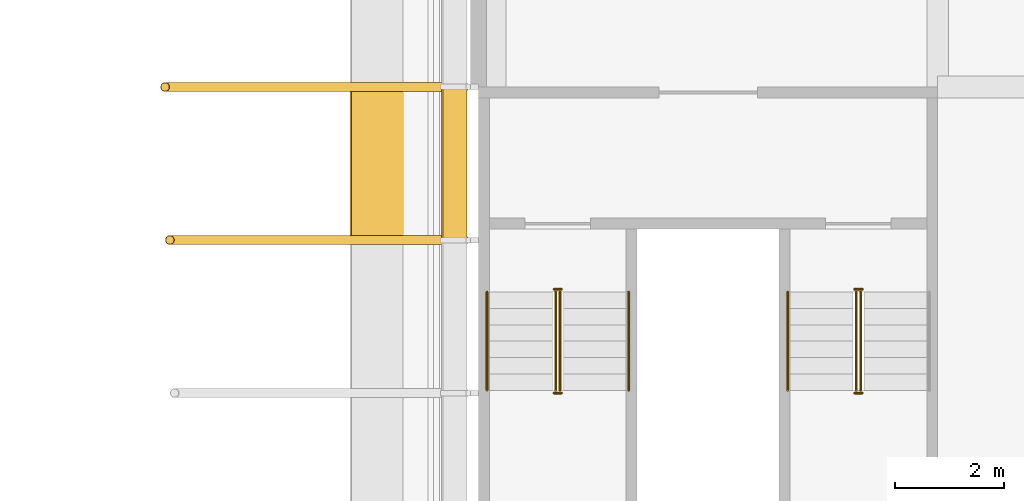
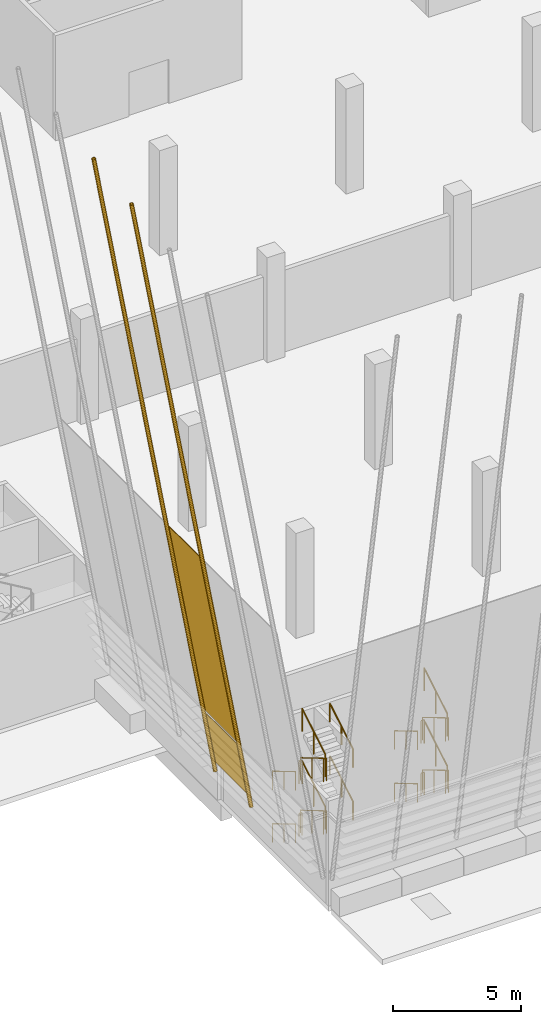
# One storey, part 77 of 101: 22 railings, 2 coverings, 2 shading devices.
"""IFC4 building model written with IfcOpenShell, lengths in metres."""

import ifcopenshell
import ifcopenshell.guid

model = None  # the IFC model being written
_history = None  # IfcOwnerHistory: only IFC2X3 demands one
_inside = {}  # id of a spatial element -> (the spatial element, [elements in it])
_under = {}  # id of a project, library or spatial element -> (it, [spatial elements below it])
_declared = {}  # id of a project -> (the project, [libraries it declares])
_typed = {}  # id of a type object -> (the type object, [elements of that type])
_made_of = {}  # id of a material, layer set ... -> (it, [elements and type objects made of it])


def new_model(schema):
    """Start an empty IFC model of exactly this schema.

    Asked for "IFC4X3", IfcOpenShell would pick the latest addendum, in which some entities
    have other attributes; the version numbers below select the first issue.
    IFC2X3 requires an IfcOwnerHistory on every rooted entity: one is made here for all.
    """
    global model, _history
    if schema == "IFC4X3":
        model = ifcopenshell.file(schema_version=(4, 3, 0, 0))
    else:
        model = ifcopenshell.file(schema=schema)
    _inside.clear()
    _under.clear()
    _declared.clear()
    _typed.clear()
    _made_of.clear()
    _history = None
    if model.schema == "IFC2X3":
        org = make("IfcOrganization", Name="unknown")
        user = make(
            "IfcPersonAndOrganization",
            ThePerson=make("IfcPerson", FamilyName="unknown"),
            TheOrganization=org,
        )
        app = make(
            "IfcApplication",
            ApplicationDeveloper=org,
            Version="unknown",
            ApplicationFullName="unknown",
            ApplicationIdentifier="unknown",
        )
        _history = make(
            "IfcOwnerHistory",
            OwningUser=user,
            OwningApplication=app,
            ChangeAction="ADDED",
            CreationDate=0,
        )
    return model


def make(cls, **values):
    """One entity of the class cls with the attributes given. An attribute that is None is left unset."""
    return model.create_entity(
        cls, **{name: value for name, value in values.items() if value is not None}
    )


def rooted(cls, **values):
    """An entity with a GlobalId (a new one), such as an element, a storey or a relation."""
    return make(cls, GlobalId=ifcopenshell.guid.new(), OwnerHistory=_history, **values)


def si_unit(unit_type, name, prefix=None):
    """IfcSIUnit, for example si_unit("LENGTHUNIT", "METRE", prefix="MILLI")."""
    return make("IfcSIUnit", UnitType=unit_type, Prefix=prefix, Name=name)


def assignment(units):
    """IfcUnitAssignment: the units of a project."""
    return None if units is None else make("IfcUnitAssignment", Units=units)


def point(xyz):
    """IfcCartesianPoint."""
    return None if xyz is None else make("IfcCartesianPoint", Coordinates=xyz)


def direction(xyz):
    """IfcDirection."""
    return None if xyz is None else make("IfcDirection", DirectionRatios=xyz)


def frame(location, z_axis=None, x_axis=None):
    """IfcAxis2Placement3D, a coordinate frame: its origin and axes. An axis left out is left unset."""
    return make(
        "IfcAxis2Placement3D",
        Location=point(location),
        Axis=direction(z_axis),
        RefDirection=direction(x_axis),
    )


def frame_2d(location, x_axis=None):
    """IfcAxis2Placement2D, a coordinate frame in the plane: its origin and x axis."""
    return make(
        "IfcAxis2Placement2D", Location=point(location), RefDirection=direction(x_axis)
    )


def origin():
    """The frame at (0, 0, 0) with its axes left unset."""
    return frame((0.0, 0.0, 0.0))


def origin_2d():
    """The frame at (0, 0) in the plane with its x axis left unset."""
    return frame_2d((0.0, 0.0))


def place(relative_to, where):
    """IfcLocalPlacement: puts the frame where relative to a parent placement (None: the world)."""
    return make(
        "IfcLocalPlacement", PlacementRelTo=relative_to, RelativePlacement=where
    )


def context(
    kind, dimensions, precision=None, world=None, true_north=None, identifier=None
):
    """IfcGeometricRepresentationContext, for example the 3D "Model" context."""
    return make(
        "IfcGeometricRepresentationContext",
        ContextIdentifier=identifier,
        ContextType=kind,
        CoordinateSpaceDimension=dimensions,
        Precision=precision,
        WorldCoordinateSystem=world,
        TrueNorth=true_north,
    )


def subcontext(parent, identifier, kind, view, scale=None):
    """IfcGeometricRepresentationSubContext, for example "Body" below "Model"."""
    return make(
        "IfcGeometricRepresentationSubContext",
        ContextIdentifier=identifier,
        ContextType=kind,
        ParentContext=parent,
        TargetScale=scale,
        TargetView=view,
    )


def project(units=None, contexts=None):
    """IfcProject with its units and contexts."""
    return rooted(
        "IfcProject",
        Name="project",
        RepresentationContexts=contexts,
        UnitsInContext=assignment(units),
    )


def spatial(cls, under=None, at=None, **own):
    """A site, building, storey or space (cls), placed at a placement, below another one or the project."""
    s = rooted(cls, ObjectPlacement=at, **own)
    if under is not None:
        _under.setdefault(under.id(), (under, []))[1].append(s)
    return s


def polyline(points):
    """IfcPolyline through the points."""
    return make("IfcPolyline", Points=[point(p) for p in points])


def profile(cls, at=None, kind="AREA", **sizes):
    """A parametric profile (cls). Its sizes go by their IFC names, for example OverallWidth=200.0."""
    return make(cls, ProfileType=kind, Position=at, **sizes)


def circle(**sizes):
    """IfcCircleProfileDef."""
    return profile("IfcCircleProfileDef", **sizes)


def hollow_circle(**sizes):
    """IfcCircleHollowProfileDef."""
    return profile("IfcCircleHollowProfileDef", **sizes)


def outline(outer, holes=None, kind="AREA"):
    """IfcArbitraryClosedProfileDef: a profile drawn as a closed curve; with holes, ...WithVoids."""
    if holes is None:
        return make("IfcArbitraryClosedProfileDef", ProfileType=kind, OuterCurve=outer)
    return make(
        "IfcArbitraryProfileDefWithVoids",
        ProfileType=kind,
        OuterCurve=outer,
        InnerCurves=holes,
    )


def extrude(swept, where, along, depth):
    """IfcExtrudedAreaSolid: the profile swept, set in the frame where, extruded along a direction by depth."""
    return make(
        "IfcExtrudedAreaSolid",
        SweptArea=swept,
        Position=where,
        ExtrudedDirection=direction(along),
        Depth=depth,
    )


def shape(context_of_items, identifier, shape_type, items):
    """IfcShapeRepresentation: the items that make up one representation, for example the "Body"."""
    return make(
        "IfcShapeRepresentation",
        ContextOfItems=context_of_items,
        RepresentationIdentifier=identifier,
        RepresentationType=shape_type,
        Items=items,
    )


def material(Name=None, Category=None):
    """IfcMaterial."""
    return make("IfcMaterial", Name=Name, Category=Category)


def layer(
    of_material, thickness, ventilated=None, Name=None, Category=None, Priority=None
):
    """IfcMaterialLayer: one layer of a wall or slab, of a material (None: an air gap)."""
    return make(
        "IfcMaterialLayer",
        Material=of_material,
        LayerThickness=thickness,
        IsVentilated=ventilated,
        Name=Name,
        Category=Category,
        Priority=Priority,
    )


def layer_set(layers, Name=None):
    """IfcMaterialLayerSet."""
    return make("IfcMaterialLayerSet", MaterialLayers=layers, LayerSetName=Name)


def material_profile(
    of_material, cross_section, Name=None, Category=None, Priority=None
):
    """IfcMaterialProfile: a cross section and its material."""
    return make(
        "IfcMaterialProfile",
        Name=Name,
        Material=of_material,
        Profile=cross_section,
        Priority=Priority,
        Category=Category,
    )


def profile_set(profiles, Name=None, composite=None):
    """IfcMaterialProfileSet."""
    return make(
        "IfcMaterialProfileSet",
        Name=Name,
        MaterialProfiles=profiles,
        CompositeProfile=composite,
    )


def made_of(thing, what):
    """Note that an element or type object is made of a material, layer set ...; save() writes the relation."""
    if what is not None:
        _made_of.setdefault(what.id(), (what, []))[1].append(thing)
    return thing


def type_object(cls, material=None, **own):
    """A type object (cls), such as IfcWallType, which elements share."""
    return made_of(rooted(cls, **own), material)


def element(
    cls,
    number,
    at=None,
    inside=None,
    cuts=None,
    type_object=None,
    material=None,
    context=None,
    identifier="Body",
    shape_type=None,
    held_by="IfcProductDefinitionShape",
    body=None,
    shapes=None,
    **own,
):
    """One element of the class cls, such as IfcWall. Its Tag is "e" and its number.

    at: its placement. inside: the storey or other place that contains it. cuts: it is an
    opening in that element (IfcRelVoidsElement). A single representation is given by context,
    identifier, shape_type and body (its items); several are given by shapes. held_by: the class
    of the entity that holds the representations. save() writes the other relations.
    """
    e = rooted(cls, Tag="e%d" % number, ObjectPlacement=at, **own)
    if body is not None:
        shapes = [shape(context, identifier, shape_type, body)]
    if shapes is not None:
        e.Representation = make(held_by, Representations=shapes)
    if inside is not None:
        _inside.setdefault(inside.id(), (inside, []))[1].append(e)
    if cuts is not None:
        rooted(
            "IfcRelVoidsElement", RelatingBuildingElement=cuts, RelatedOpeningElement=e
        )
    if type_object is not None:
        _typed.setdefault(type_object.id(), (type_object, []))[1].append(e)
    return made_of(e, material)


def aggregate(whole, parts):
    """IfcRelAggregates: a whole, such as a stair, and the parts it consists of."""
    return rooted("IfcRelAggregates", RelatingObject=whole, RelatedObjects=parts)


def save(model, path):
    """Write the relations noted so far, then the file.

    IfcRelAggregates (storeys below a building ...), IfcRelContainedInSpatialStructure (elements
    in a storey), IfcRelDefinesByType, IfcRelAssociatesMaterial and IfcRelDeclares: one each for
    every whole, place, type object, material and project.
    """
    for whole, parts in _under.values():
        aggregate(whole, parts)
    for where, things in _inside.values():
        rooted(
            "IfcRelContainedInSpatialStructure",
            RelatedElements=things,
            RelatingStructure=where,
        )
    for kind, things in _typed.values():
        rooted("IfcRelDefinesByType", RelatedObjects=things, RelatingType=kind)
    for what, things in _made_of.values():
        rooted("IfcRelAssociatesMaterial", RelatedObjects=things, RelatingMaterial=what)
    for by, libraries in _declared.values():
        rooted("IfcRelDeclares", RelatingContext=by, RelatedDefinitions=libraries)
    model.write(path)


model = new_model("IFC4")

# Units and contexts
model_context = context("Model", 3, precision=1e-05, world=origin(), true_north=direction((0.0, 1.0)))
body_context = subcontext(model_context, "Body", "Model", "MODEL_VIEW")
ifc_project = project(units=[si_unit("LENGTHUNIT", "METRE"), si_unit("AREAUNIT", "SQUARE_METRE"), si_unit("VOLUMEUNIT", "CUBIC_METRE"), si_unit("PLANEANGLEUNIT", "RADIAN"), si_unit("MASSUNIT", "GRAM", prefix="KILO")], contexts=[model_context])

# Site, building, storey
site_placement = place(None, origin())
site = spatial("IfcSite", under=ifc_project, at=site_placement, CompositionType="ELEMENT")
building_placement = place(site_placement, origin())
building = spatial("IfcBuilding", under=site, at=building_placement, Name="Almond Square Museum", CompositionType="ELEMENT")
storey_placement = place(building_placement, frame((0.0, 0.0, 5.5)))
storey = spatial("IfcBuildingStorey", under=building, at=storey_placement, Name="L01", CompositionType="ELEMENT", Elevation=5.5)

# Shading devices
ifc_material_1 = material(Name="Structural steel S355", Category="steel")
ifc_material_profile = material_profile(ifc_material_1, hollow_circle(Radius=0.084228515625, WallThickness=0.008056640625, at=origin_2d()))
ifc_profile_set = profile_set([ifc_material_profile], Name="Structural steel S355")
shading_device_type = type_object("IfcShadingDeviceType", Name="Louvre post CHS 168.3 x 8", PredefinedType="USERDEFINED", material=ifc_profile_set)
shading_device_1_placement = place(storey_placement, frame((106.54443359375, 56.0, 1.44873046875), z_axis=(-0.173642705905, 0.0, 0.984808717816), x_axis=(0.0, -1.0, 0.0)))
element("IfcShadingDevice", 1, at=shading_device_1_placement, inside=storey, type_object=shading_device_type, Name="Louvre post W03", ObjectType="POST", PredefinedType="USERDEFINED", context=body_context, shape_type="SweptSolid", body=[
    extrude(hollow_circle(Radius=0.084228515625, WallThickness=0.008056640625, at=origin_2d()), origin(), (0.0, 0.0, 1.0), 31.052734375),
])
shading_device_2_placement = place(storey_placement, frame((106.54443359375, 58.800048828125, 1.44873046875), z_axis=(-0.173643630855, 0.0, 0.984808554727), x_axis=(0.0, -1.0, 0.0)))
element("IfcShadingDevice", 2, at=shading_device_2_placement, inside=storey, type_object=shading_device_type, Name="Louvre post W04", ObjectType="POST", PredefinedType="USERDEFINED", context=body_context, shape_type="SweptSolid", body=[
    extrude(hollow_circle(Radius=0.084228515625, WallThickness=0.008056640625, at=origin_2d()), origin(), (0.0, 0.0, 1.0), 31.55029296875),
])

# Coverings
ifc_material_2 = material(Name="Cedar timber sheathing panel", Category="wood")
ifc_layer = layer(ifc_material_2, 0.030029296875)
ifc_layer_set = layer_set([ifc_layer], Name="Cedar timber sheathing panel")
covering_type = type_object("IfcCoveringType", Name="Louvre rain-screen backing panel 30", PredefinedType="CLADDING", material=ifc_layer_set)
covering_1_placement = place(storey_placement, frame((106.57275390625, 56.0, 1.8486328125), z_axis=(0.984810858511, 0.0, 0.173630564586), x_axis=(0.0, 1.0, 0.0)))
element("IfcCovering", 3, at=covering_1_placement, inside=storey, type_object=covering_type, Name="Louvre rain-screen backing panel W03.03", PredefinedType="CLADDING", context=body_context, shape_type="SweptSolid", body=[
    extrude(outline(polyline([(0.0, 0.0), (2.800048828125, 0.0), (2.800048828125, 2.519717660558068), (0.0, 2.519717660558068), (0.0, 0.0)])), frame((0.0, 0.0, -0.01513671875)), (0.0, 0.0, 1.0), 0.030029296875),
])
covering_2_placement = place(storey_placement, frame((106.110595703125, 56.0, 4.469970703125), z_axis=(0.98480863204, 0.0, 0.173643192378), x_axis=(0.0, 1.0, 0.0)))
element("IfcCovering", 4, at=covering_2_placement, inside=storey, type_object=covering_type, Name="Louvre rain-screen backing panel W03.04", PredefinedType="CLADDING", context=body_context, shape_type="SweptSolid", body=[
    extrude(outline(polyline([(0.0, 0.0), (2.800048828125, 0.0), (2.800048828125, 9.504493682681225), (0.0, 9.504493682681225), (0.0, 0.0)])), frame((0.0, 0.0, -0.01513671875)), (0.0, 0.0, 1.0), 0.030029296875),
])

# Railings
ifc_material_3 = material(Name="Stainless steel and laminated glass", Category="steel")
railing_type_1 = type_object("IfcRailingType", Name="Stair guard 1100 steel and glass", PredefinedType="GUARDRAIL", material=ifc_material_3)
railing_1_placement = place(storey_placement, frame((108.2099609375, 55.050048828125, 0.178466796875)))
element("IfcRailing", 5, at=railing_1_placement, inside=storey, type_object=railing_type_1, Name="L01 ST-01 stair guard 1", PredefinedType="GUARDRAIL", context=body_context, shape_type="SweptSolid", body=[
    extrude(circle(Radius=0.02392578125, at=origin_2d()), frame((0.0, 0.0, 1.076171875), z_axis=(0.0, -0.859277029364, 0.511510495305), x_axis=(1.0, 0.0, 0.0)), (0.0, 0.0, 1.0), 2.0947265625),
    extrude(circle(Radius=0.02099609375, at=origin_2d()), origin(), (0.0, 0.0, 1.0), 1.052001953125),
    extrude(circle(Radius=0.02099609375, at=origin_2d()), frame((0.0, -0.89990234375, 0.53564453125)), (0.0, 0.0, 1.0), 1.052001953125),
    extrude(circle(Radius=0.02099609375, at=origin_2d()), frame((0.0, -1.800048828125, 1.071533203125)), (0.0, 0.0, 1.0), 1.052001953125),
])
railing_2_placement = place(storey_placement, frame((108.179931640625, 53.199951171875, 1.25)))
element("IfcRailing", 6, at=railing_2_placement, inside=storey, type_object=railing_type_1, Name="L01 ST-01 stair guard 2", PredefinedType="GUARDRAIL", context=body_context, shape_type="SweptSolid", body=[
    extrude(circle(Radius=0.02392578125, at=origin_2d()), frame((0.0, 0.0, 1.076171875), z_axis=(1.0, 0.0, 0.0), x_axis=(0.0, 1.0, 0.0)), (0.0, 0.0, 1.0), 0.14013671875),
    extrude(circle(Radius=0.02099609375, at=origin_2d()), origin(), (0.0, 0.0, 1.0), 1.052001953125),
    extrude(circle(Radius=0.02099609375, at=origin_2d()), frame((0.14013671875, 0.0, 0.0)), (0.0, 0.0, 1.0), 1.052001953125),
])
railing_3_placement = place(storey_placement, frame((108.2900390625, 53.25, 1.428466796875)))
element("IfcRailing", 7, at=railing_3_placement, inside=storey, type_object=railing_type_1, Name="L01 ST-01 stair guard 3", PredefinedType="GUARDRAIL", context=body_context, shape_type="SweptSolid", body=[
    extrude(circle(Radius=0.02392578125, at=origin_2d()), frame((0.0, 0.0, 1.076171875), z_axis=(0.0, 0.859277029364, 0.511510495305), x_axis=(-1.0, 0.0, 0.0)), (0.0, 0.0, 1.0), 2.0947265625),
    extrude(circle(Radius=0.02099609375, at=origin_2d()), origin(), (0.0, 0.0, 1.0), 1.052001953125),
    extrude(circle(Radius=0.02099609375, at=origin_2d()), frame((0.0, 0.89990234375, 0.53564453125)), (0.0, 0.0, 1.0), 1.052001953125),
    extrude(circle(Radius=0.02099609375, at=origin_2d()), frame((0.0, 1.800048828125, 1.071533203125)), (0.0, 0.0, 1.0), 1.052001953125),
])
railing_4_placement = place(storey_placement, frame((108.179931640625, 55.10009765625, 2.5)))
element("IfcRailing", 8, at=railing_4_placement, inside=storey, type_object=railing_type_1, Name="L01 ST-01 stair guard 4", PredefinedType="GUARDRAIL", context=body_context, shape_type="SweptSolid", body=[
    extrude(circle(Radius=0.02392578125, at=origin_2d()), frame((0.0, 0.0, 1.076171875), z_axis=(1.0, 0.0, 0.0), x_axis=(0.0, 1.0, 0.0)), (0.0, 0.0, 1.0), 0.14013671875),
    extrude(circle(Radius=0.02099609375, at=origin_2d()), origin(), (0.0, 0.0, 1.0), 1.052001953125),
    extrude(circle(Radius=0.02099609375, at=origin_2d()), frame((0.14013671875, 0.0, 0.0)), (0.0, 0.0, 1.0), 1.052001953125),
])
railing_5_placement = place(storey_placement, frame((108.2099609375, 55.050048828125, 2.678466796875)))
element("IfcRailing", 9, at=railing_5_placement, inside=storey, type_object=railing_type_1, Name="L01 ST-01 stair guard 5", PredefinedType="GUARDRAIL", context=body_context, shape_type="SweptSolid", body=[
    extrude(circle(Radius=0.02392578125, at=origin_2d()), frame((0.0, 0.0, 1.076171875), z_axis=(0.0, -0.859277029364, 0.511510495305), x_axis=(1.0, 0.0, 0.0)), (0.0, 0.0, 1.0), 2.0947265625),
    extrude(circle(Radius=0.02099609375, at=origin_2d()), origin(), (0.0, 0.0, 1.0), 1.052001953125),
    extrude(circle(Radius=0.02099609375, at=origin_2d()), frame((0.0, -0.89990234375, 0.53564453125)), (0.0, 0.0, 1.0), 1.052001953125),
    extrude(circle(Radius=0.02099609375, at=origin_2d()), frame((0.0, -1.800048828125, 1.071533203125)), (0.0, 0.0, 1.0), 1.052001953125),
])
railing_6_placement = place(storey_placement, frame((108.179931640625, 53.199951171875, 3.75)))
element("IfcRailing", 10, at=railing_6_placement, inside=storey, type_object=railing_type_1, Name="L01 ST-01 stair guard 6", PredefinedType="GUARDRAIL", context=body_context, shape_type="SweptSolid", body=[
    extrude(circle(Radius=0.02392578125, at=origin_2d()), frame((0.0, 0.0, 1.076171875), z_axis=(1.0, 0.0, 0.0), x_axis=(0.0, 1.0, 0.0)), (0.0, 0.0, 1.0), 0.14013671875),
    extrude(circle(Radius=0.02099609375, at=origin_2d()), origin(), (0.0, 0.0, 1.0), 1.052001953125),
    extrude(circle(Radius=0.02099609375, at=origin_2d()), frame((0.14013671875, 0.0, 0.0)), (0.0, 0.0, 1.0), 1.052001953125),
])
railing_7_placement = place(storey_placement, frame((108.2900390625, 53.25, 3.928466796875)))
element("IfcRailing", 11, at=railing_7_placement, inside=storey, type_object=railing_type_1, Name="L01 ST-01 stair guard 7", PredefinedType="GUARDRAIL", context=body_context, shape_type="SweptSolid", body=[
    extrude(circle(Radius=0.02392578125, at=origin_2d()), frame((0.0, 0.0, 1.076171875), z_axis=(0.0, 0.859277029364, 0.511510495305), x_axis=(-1.0, 0.0, 0.0)), (0.0, 0.0, 1.0), 2.0947265625),
    extrude(circle(Radius=0.02099609375, at=origin_2d()), origin(), (0.0, 0.0, 1.0), 1.052001953125),
    extrude(circle(Radius=0.02099609375, at=origin_2d()), frame((0.0, 0.89990234375, 0.53564453125)), (0.0, 0.0, 1.0), 1.052001953125),
    extrude(circle(Radius=0.02099609375, at=origin_2d()), frame((0.0, 1.800048828125, 1.071533203125)), (0.0, 0.0, 1.0), 1.052001953125),
])
railing_8_placement = place(storey_placement, frame((108.179931640625, 55.10009765625, 0.0)))
element("IfcRailing", 12, at=railing_8_placement, inside=storey, type_object=railing_type_1, Name="L01 ST-01 stair guard 8", PredefinedType="GUARDRAIL", context=body_context, shape_type="SweptSolid", body=[
    extrude(circle(Radius=0.02392578125, at=origin_2d()), frame((0.0, 0.0, 1.076171875), z_axis=(1.0, 0.0, 0.0), x_axis=(0.0, 1.0, 0.0)), (0.0, 0.0, 1.0), 0.14013671875),
    extrude(circle(Radius=0.02099609375, at=origin_2d()), origin(), (0.0, 0.0, 1.0), 1.052001953125),
    extrude(circle(Radius=0.02099609375, at=origin_2d()), frame((0.14013671875, 0.0, 0.0)), (0.0, 0.0, 1.0), 1.052001953125),
])
railing_9_placement = place(storey_placement, frame((113.7099609375, 55.050048828125, 0.178466796875)))
element("IfcRailing", 13, at=railing_9_placement, inside=storey, type_object=railing_type_1, Name="L01 ST-02 stair guard 1", PredefinedType="GUARDRAIL", context=body_context, shape_type="SweptSolid", body=[
    extrude(circle(Radius=0.02392578125, at=origin_2d()), frame((0.0, 0.0, 1.076171875), z_axis=(0.0, -0.859277029364, 0.511510495305), x_axis=(1.0, 0.0, 0.0)), (0.0, 0.0, 1.0), 2.0947265625),
    extrude(circle(Radius=0.02099609375, at=origin_2d()), origin(), (0.0, 0.0, 1.0), 1.052001953125),
    extrude(circle(Radius=0.02099609375, at=origin_2d()), frame((0.0, -0.89990234375, 0.53564453125)), (0.0, 0.0, 1.0), 1.052001953125),
    extrude(circle(Radius=0.02099609375, at=origin_2d()), frame((0.0, -1.800048828125, 1.071533203125)), (0.0, 0.0, 1.0), 1.052001953125),
])
railing_10_placement = place(storey_placement, frame((113.679931640625, 53.199951171875, 1.25)))
element("IfcRailing", 14, at=railing_10_placement, inside=storey, type_object=railing_type_1, Name="L01 ST-02 stair guard 2", PredefinedType="GUARDRAIL", context=body_context, shape_type="SweptSolid", body=[
    extrude(circle(Radius=0.02392578125, at=origin_2d()), frame((0.0, 0.0, 1.076171875), z_axis=(1.0, 0.0, 0.0), x_axis=(0.0, 1.0, 0.0)), (0.0, 0.0, 1.0), 0.14013671875),
    extrude(circle(Radius=0.02099609375, at=origin_2d()), origin(), (0.0, 0.0, 1.0), 1.052001953125),
    extrude(circle(Radius=0.02099609375, at=origin_2d()), frame((0.14013671875, 0.0, 0.0)), (0.0, 0.0, 1.0), 1.052001953125),
])
railing_11_placement = place(storey_placement, frame((113.7900390625, 53.25, 1.428466796875)))
element("IfcRailing", 15, at=railing_11_placement, inside=storey, type_object=railing_type_1, Name="L01 ST-02 stair guard 3", PredefinedType="GUARDRAIL", context=body_context, shape_type="SweptSolid", body=[
    extrude(circle(Radius=0.02392578125, at=origin_2d()), frame((0.0, 0.0, 1.076171875), z_axis=(0.0, 0.859277029364, 0.511510495305), x_axis=(-1.0, 0.0, 0.0)), (0.0, 0.0, 1.0), 2.0947265625),
    extrude(circle(Radius=0.02099609375, at=origin_2d()), origin(), (0.0, 0.0, 1.0), 1.052001953125),
    extrude(circle(Radius=0.02099609375, at=origin_2d()), frame((0.0, 0.89990234375, 0.53564453125)), (0.0, 0.0, 1.0), 1.052001953125),
    extrude(circle(Radius=0.02099609375, at=origin_2d()), frame((0.0, 1.800048828125, 1.071533203125)), (0.0, 0.0, 1.0), 1.052001953125),
])
railing_12_placement = place(storey_placement, frame((113.679931640625, 55.10009765625, 2.5)))
element("IfcRailing", 16, at=railing_12_placement, inside=storey, type_object=railing_type_1, Name="L01 ST-02 stair guard 4", PredefinedType="GUARDRAIL", context=body_context, shape_type="SweptSolid", body=[
    extrude(circle(Radius=0.02392578125, at=origin_2d()), frame((0.0, 0.0, 1.076171875), z_axis=(1.0, 0.0, 0.0), x_axis=(0.0, 1.0, 0.0)), (0.0, 0.0, 1.0), 0.14013671875),
    extrude(circle(Radius=0.02099609375, at=origin_2d()), origin(), (0.0, 0.0, 1.0), 1.052001953125),
    extrude(circle(Radius=0.02099609375, at=origin_2d()), frame((0.14013671875, 0.0, 0.0)), (0.0, 0.0, 1.0), 1.052001953125),
])
railing_13_placement = place(storey_placement, frame((113.7099609375, 55.050048828125, 2.678466796875)))
element("IfcRailing", 17, at=railing_13_placement, inside=storey, type_object=railing_type_1, Name="L01 ST-02 stair guard 5", PredefinedType="GUARDRAIL", context=body_context, shape_type="SweptSolid", body=[
    extrude(circle(Radius=0.02392578125, at=origin_2d()), frame((0.0, 0.0, 1.076171875), z_axis=(0.0, -0.859277029364, 0.511510495305), x_axis=(1.0, 0.0, 0.0)), (0.0, 0.0, 1.0), 2.0947265625),
    extrude(circle(Radius=0.02099609375, at=origin_2d()), origin(), (0.0, 0.0, 1.0), 1.052001953125),
    extrude(circle(Radius=0.02099609375, at=origin_2d()), frame((0.0, -0.89990234375, 0.53564453125)), (0.0, 0.0, 1.0), 1.052001953125),
    extrude(circle(Radius=0.02099609375, at=origin_2d()), frame((0.0, -1.800048828125, 1.071533203125)), (0.0, 0.0, 1.0), 1.052001953125),
])
railing_14_placement = place(storey_placement, frame((113.679931640625, 53.199951171875, 3.75)))
element("IfcRailing", 18, at=railing_14_placement, inside=storey, type_object=railing_type_1, Name="L01 ST-02 stair guard 6", PredefinedType="GUARDRAIL", context=body_context, shape_type="SweptSolid", body=[
    extrude(circle(Radius=0.02392578125, at=origin_2d()), frame((0.0, 0.0, 1.076171875), z_axis=(1.0, 0.0, 0.0), x_axis=(0.0, 1.0, 0.0)), (0.0, 0.0, 1.0), 0.14013671875),
    extrude(circle(Radius=0.02099609375, at=origin_2d()), origin(), (0.0, 0.0, 1.0), 1.052001953125),
    extrude(circle(Radius=0.02099609375, at=origin_2d()), frame((0.14013671875, 0.0, 0.0)), (0.0, 0.0, 1.0), 1.052001953125),
])
railing_15_placement = place(storey_placement, frame((113.7900390625, 53.25, 3.928466796875)))
element("IfcRailing", 19, at=railing_15_placement, inside=storey, type_object=railing_type_1, Name="L01 ST-02 stair guard 7", PredefinedType="GUARDRAIL", context=body_context, shape_type="SweptSolid", body=[
    extrude(circle(Radius=0.02392578125, at=origin_2d()), frame((0.0, 0.0, 1.076171875), z_axis=(0.0, 0.859277029364, 0.511510495305), x_axis=(-1.0, 0.0, 0.0)), (0.0, 0.0, 1.0), 2.0947265625),
    extrude(circle(Radius=0.02099609375, at=origin_2d()), origin(), (0.0, 0.0, 1.0), 1.052001953125),
    extrude(circle(Radius=0.02099609375, at=origin_2d()), frame((0.0, 0.89990234375, 0.53564453125)), (0.0, 0.0, 1.0), 1.052001953125),
    extrude(circle(Radius=0.02099609375, at=origin_2d()), frame((0.0, 1.800048828125, 1.071533203125)), (0.0, 0.0, 1.0), 1.052001953125),
])
railing_16_placement = place(storey_placement, frame((113.679931640625, 55.10009765625, 0.0)))
element("IfcRailing", 20, at=railing_16_placement, inside=storey, type_object=railing_type_1, Name="L01 ST-02 stair guard 8", PredefinedType="GUARDRAIL", context=body_context, shape_type="SweptSolid", body=[
    extrude(circle(Radius=0.02392578125, at=origin_2d()), frame((0.0, 0.0, 1.076171875), z_axis=(1.0, 0.0, 0.0), x_axis=(0.0, 1.0, 0.0)), (0.0, 0.0, 1.0), 0.14013671875),
    extrude(circle(Radius=0.02099609375, at=origin_2d()), origin(), (0.0, 0.0, 1.0), 1.052001953125),
    extrude(circle(Radius=0.02099609375, at=origin_2d()), frame((0.14013671875, 0.0, 0.0)), (0.0, 0.0, 1.0), 1.052001953125),
])
ifc_material_4 = material(Name="Stainless steel", Category="steel")
railing_type_2 = type_object("IfcRailingType", Name="Stair handrail 900 steel", PredefinedType="HANDRAIL", material=ifc_material_4)
railing_17_placement = place(storey_placement, frame((106.955078125, 55.050048828125, 0.178466796875)))
element("IfcRailing", 21, at=railing_17_placement, inside=storey, type_object=railing_type_2, Name="L01 ST-01 stair handrail 1", PredefinedType="HANDRAIL", context=body_context, shape_type="SweptSolid", body=[
    extrude(circle(Radius=0.02392578125, at=origin_2d()), frame((0.0, 0.0, 0.8759765625), z_axis=(0.0, -0.859277029364, 0.511510495305), x_axis=(1.0, 0.0, 0.0)), (0.0, 0.0, 1.0), 2.0947265625),
    extrude(circle(Radius=0.02099609375, at=origin_2d()), origin(), (0.0, 0.0, 1.0), 0.851806640625),
    extrude(circle(Radius=0.02099609375, at=origin_2d()), frame((0.0, -0.89990234375, 0.53564453125)), (0.0, 0.0, 1.0), 0.851806640625),
    extrude(circle(Radius=0.02099609375, at=origin_2d()), frame((0.0, -1.800048828125, 1.071533203125)), (0.0, 0.0, 1.0), 0.851806640625),
])
railing_18_placement = place(storey_placement, frame((109.544921875, 53.25, 1.428466796875)))
element("IfcRailing", 22, at=railing_18_placement, inside=storey, type_object=railing_type_2, Name="L01 ST-01 stair handrail 2", PredefinedType="HANDRAIL", context=body_context, shape_type="SweptSolid", body=[
    extrude(circle(Radius=0.02392578125, at=origin_2d()), frame((0.0, 0.0, 0.8759765625), z_axis=(0.0, 0.859277029364, 0.511510495305), x_axis=(-1.0, 0.0, 0.0)), (0.0, 0.0, 1.0), 2.0947265625),
    extrude(circle(Radius=0.02099609375, at=origin_2d()), origin(), (0.0, 0.0, 1.0), 0.851806640625),
    extrude(circle(Radius=0.02099609375, at=origin_2d()), frame((0.0, 0.89990234375, 0.53564453125)), (0.0, 0.0, 1.0), 0.851806640625),
    extrude(circle(Radius=0.02099609375, at=origin_2d()), frame((0.0, 1.800048828125, 1.071533203125)), (0.0, 0.0, 1.0), 0.851806640625),
])
railing_19_placement = place(storey_placement, frame((106.955078125, 55.050048828125, 2.678466796875)))
element("IfcRailing", 23, at=railing_19_placement, inside=storey, type_object=railing_type_2, Name="L01 ST-01 stair handrail 3", PredefinedType="HANDRAIL", context=body_context, shape_type="SweptSolid", body=[
    extrude(circle(Radius=0.02392578125, at=origin_2d()), frame((0.0, 0.0, 0.8759765625), z_axis=(0.0, -0.859277029364, 0.511510495305), x_axis=(1.0, 0.0, 0.0)), (0.0, 0.0, 1.0), 2.0947265625),
    extrude(circle(Radius=0.02099609375, at=origin_2d()), origin(), (0.0, 0.0, 1.0), 0.851806640625),
    extrude(circle(Radius=0.02099609375, at=origin_2d()), frame((0.0, -0.89990234375, 0.53564453125)), (0.0, 0.0, 1.0), 0.851806640625),
    extrude(circle(Radius=0.02099609375, at=origin_2d()), frame((0.0, -1.800048828125, 1.071533203125)), (0.0, 0.0, 1.0), 0.851806640625),
])
railing_20_placement = place(storey_placement, frame((109.544921875, 53.25, 3.928466796875)))
element("IfcRailing", 24, at=railing_20_placement, inside=storey, type_object=railing_type_2, Name="L01 ST-01 stair handrail 4", PredefinedType="HANDRAIL", context=body_context, shape_type="SweptSolid", body=[
    extrude(circle(Radius=0.02392578125, at=origin_2d()), frame((0.0, 0.0, 0.8759765625), z_axis=(0.0, 0.859277029364, 0.511510495305), x_axis=(-1.0, 0.0, 0.0)), (0.0, 0.0, 1.0), 2.0947265625),
    extrude(circle(Radius=0.02099609375, at=origin_2d()), origin(), (0.0, 0.0, 1.0), 0.851806640625),
    extrude(circle(Radius=0.02099609375, at=origin_2d()), frame((0.0, 0.89990234375, 0.53564453125)), (0.0, 0.0, 1.0), 0.851806640625),
    extrude(circle(Radius=0.02099609375, at=origin_2d()), frame((0.0, 1.800048828125, 1.071533203125)), (0.0, 0.0, 1.0), 0.851806640625),
])
for number, where, name in (
    (25, (112.455078125, 55.050048828125, 0.178466796875), "L01 ST-02 stair handrail 1"),
    (26, (112.455078125, 55.050048828125, 2.678466796875), "L01 ST-02 stair handrail 3"),
):
    element("IfcRailing", number, at=place(storey_placement, frame(where)), inside=storey, type_object=railing_type_2, Name=name, PredefinedType="HANDRAIL", context=body_context, shape_type="SweptSolid", body=[
        extrude(circle(Radius=0.02392578125, at=origin_2d()), frame((0.0, 0.0, 0.8759765625), z_axis=(0.0, -0.859277029364, 0.511510495305), x_axis=(1.0, 0.0, 0.0)), (0.0, 0.0, 1.0), 2.0947265625),
        extrude(circle(Radius=0.02099609375, at=origin_2d()), origin(), (0.0, 0.0, 1.0), 0.851806640625),
        extrude(circle(Radius=0.02099609375, at=origin_2d()), frame((0.0, -0.89990234375, 0.53564453125)), (0.0, 0.0, 1.0), 0.851806640625),
        extrude(circle(Radius=0.02099609375, at=origin_2d()), frame((0.0, -1.800048828125, 1.071533203125)), (0.0, 0.0, 1.0), 0.851806640625),
    ])

save(model, "model.ifc")
